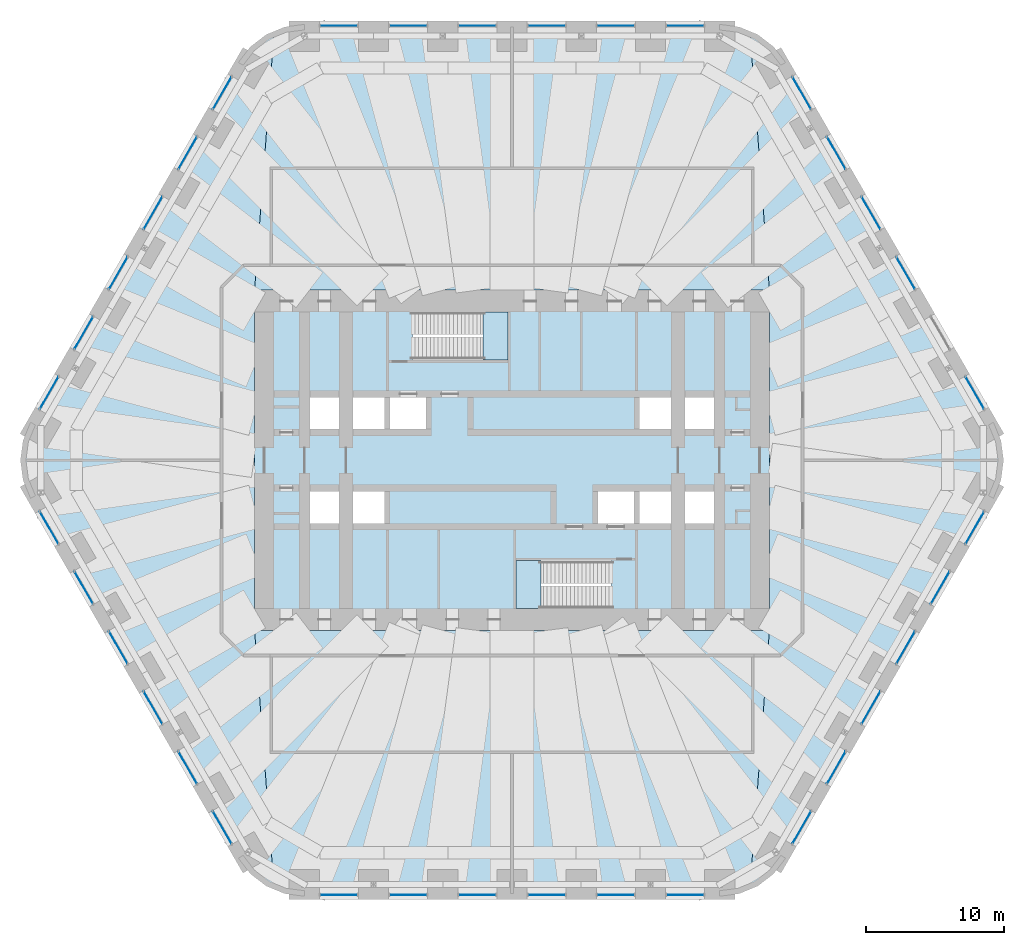
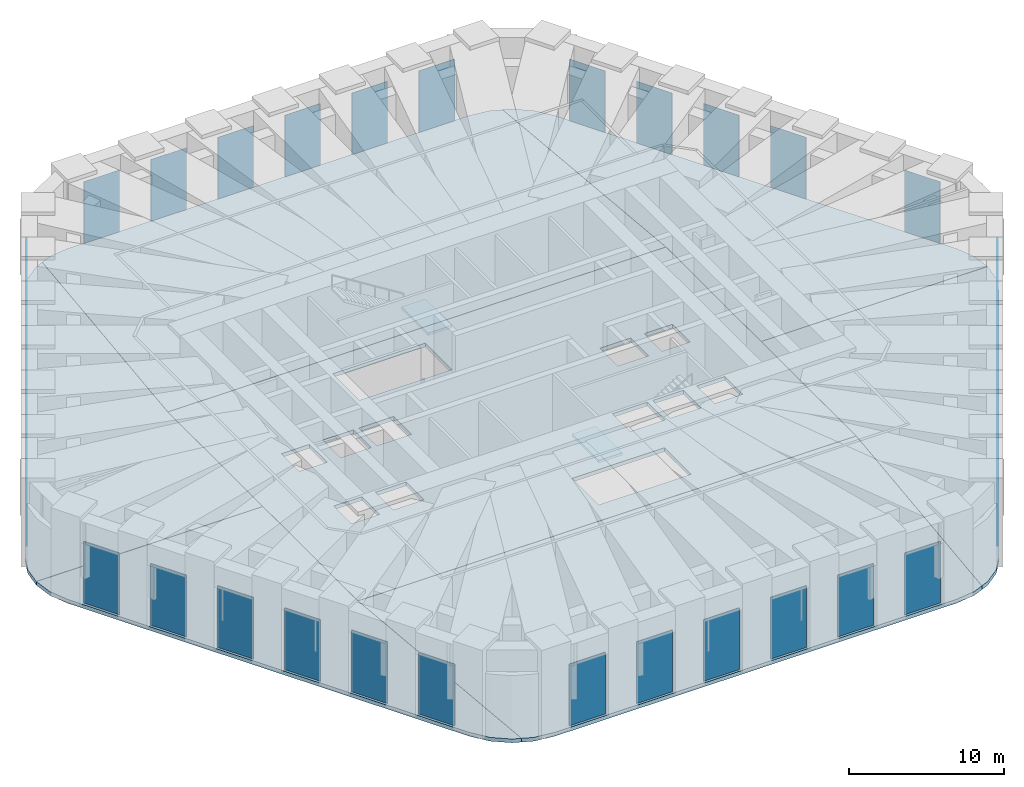
# One storey, part 11 of 16: 35 plates, 9 slabs, 37 elements without a shape of their own.
"""IFC4 building model written with IfcOpenShell, lengths in metres."""

from ifc_helpers import new_model, si_unit, direction, frame, origin, origin_2d, place, context, subcontext, project, spatial, polyline, rectangle, outline, extrude, material, layer, layer_set, type_object, element, aggregate, save


model = new_model("IFC4")

# Units and contexts
model_context = context("Model", 3, precision=1e-05, world=origin(), true_north=direction((0.0, 1.0)))
body_context = subcontext(model_context, "Body", "Model", "MODEL_VIEW")
ifc_project = project(units=[si_unit("LENGTHUNIT", "METRE"), si_unit("AREAUNIT", "SQUARE_METRE"), si_unit("VOLUMEUNIT", "CUBIC_METRE"), si_unit("PLANEANGLEUNIT", "RADIAN"), si_unit("MASSUNIT", "GRAM", prefix="KILO")], contexts=[model_context])

# Site, building, storey
site_placement = place(None, origin())
site = spatial("IfcSite", under=ifc_project, at=site_placement, CompositionType="ELEMENT")
building_placement = place(site_placement, origin())
building = spatial("IfcBuilding", under=site, at=building_placement, Name="Tarfa Lantern Tower", CompositionType="ELEMENT")
storey_placement = place(building_placement, frame((0.0, 0.0, 203.5)))
storey = spatial("IfcBuildingStorey", under=building, at=storey_placement, Name="L46", CompositionType="ELEMENT", Elevation=203.5)

# Curtain wall, plate
ifc_material_1 = material(Name="Aluminium framed curtain wall", Category="aluminium")
curtain_wall_type = type_object("IfcCurtainWallType", Name="CW6 LOUVRED SCREEN WALL 5000", PredefinedType="USERDEFINED", material=ifc_material_1)
curtain_wall_1_placement = place(storey_placement, origin())
curtain_wall_1 = element("IfcCurtainWall", 1, at=curtain_wall_1_placement, inside=storey, type_object=curtain_wall_type, Name="CW6 NE L46", ObjectType="CURTAIN WALL", PredefinedType="USERDEFINED")
ifc_material_2 = material(Name="Aluminium louvre blades", Category="aluminium")
ifc_layer_1 = layer(ifc_material_2, 0.028076171875)
ifc_layer_set_1 = layer_set([ifc_layer_1], Name="CWP2 LOUVRE PANEL")
plate_type = type_object("IfcPlateType", Name="CWP2 LOUVRE PANEL", PredefinedType="CURTAIN_PANEL", material=ifc_layer_set_1)
plate_1_placement = place(storey_placement, frame((33.44775390625, 4.86669921875, 0.06494140625), z_axis=(0.0, 0.0, 1.0), x_axis=(-0.5, 0.866025403784, 0.0)))
plate_1 = element("IfcPlate", 2, at=plate_1_placement, type_object=plate_type, Name="CW6 panel 1.1", PredefinedType="CURTAIN_PANEL", context=body_context, shape_type="SweptSolid", body=[
    extrude(rectangle(XDim=2.673583984375, YDim=0.028076171875, at=origin_2d()), origin(), (0.0, 0.0, 1.0), 4.8701171875),
])
aggregate(curtain_wall_1, [plate_1])

curtain_wall_2_placement = place(storey_placement, origin())
curtain_wall_2 = element("IfcCurtainWall", 3, at=curtain_wall_2_placement, inside=storey, type_object=curtain_wall_type, Name="CW6 NE L46", ObjectType="CURTAIN WALL", PredefinedType="USERDEFINED")
plate_2_placement = place(storey_placement, frame((28.444091796875, 13.533447265625, 0.06494140625), z_axis=(0.0, 0.0, 1.0), x_axis=(-0.5, 0.866025403784, 0.0)))
plate_2 = element("IfcPlate", 4, at=plate_2_placement, type_object=plate_type, Name="CW6 panel 1.1", PredefinedType="CURTAIN_PANEL", context=body_context, shape_type="SweptSolid", body=[
    extrude(rectangle(XDim=2.673583984375, YDim=0.028076171875, at=origin_2d()), origin(), (0.0, 0.0, 1.0), 4.8701171875),
])
aggregate(curtain_wall_2, [plate_2])

curtain_wall_3_placement = place(storey_placement, origin())
curtain_wall_3 = element("IfcCurtainWall", 5, at=curtain_wall_3_placement, inside=storey, type_object=curtain_wall_type, Name="CW6 NE L46", ObjectType="CURTAIN WALL", PredefinedType="USERDEFINED")
plate_3_placement = place(storey_placement, frame((25.9423828125, 17.86669921875, 0.06494140625), z_axis=(0.0, 0.0, 1.0), x_axis=(-0.5, 0.866025403784, 0.0)))
plate_3 = element("IfcPlate", 6, at=plate_3_placement, type_object=plate_type, Name="CW6 panel 1.1", PredefinedType="CURTAIN_PANEL", context=body_context, shape_type="SweptSolid", body=[
    extrude(rectangle(XDim=2.673583984375, YDim=0.028076171875, at=origin_2d()), origin(), (0.0, 0.0, 1.0), 4.8701171875),
])
aggregate(curtain_wall_3, [plate_3])

curtain_wall_4_placement = place(storey_placement, origin())
curtain_wall_4 = element("IfcCurtainWall", 7, at=curtain_wall_4_placement, inside=storey, type_object=curtain_wall_type, Name="CW6 NE L46", ObjectType="CURTAIN WALL", PredefinedType="USERDEFINED")
plate_4_placement = place(storey_placement, frame((23.4404296875, 22.199951171875, 0.06494140625), z_axis=(0.0, 0.0, 1.0), x_axis=(-0.5, 0.866025403784, 0.0)))
plate_4 = element("IfcPlate", 8, at=plate_4_placement, type_object=plate_type, Name="CW6 panel 1.1", PredefinedType="CURTAIN_PANEL", context=body_context, shape_type="SweptSolid", body=[
    extrude(rectangle(XDim=2.673583984375, YDim=0.028076171875, at=origin_2d()), origin(), (0.0, 0.0, 1.0), 4.8701171875),
])
aggregate(curtain_wall_4, [plate_4])

curtain_wall_5_placement = place(storey_placement, origin())
curtain_wall_5 = element("IfcCurtainWall", 9, at=curtain_wall_5_placement, inside=storey, type_object=curtain_wall_type, Name="CW6 NE L46", ObjectType="CURTAIN WALL", PredefinedType="USERDEFINED")
plate_5_placement = place(storey_placement, frame((20.9384765625, 26.533447265625, 0.06494140625), z_axis=(0.0, 0.0, 1.0), x_axis=(-0.5, 0.866025403784, 0.0)))
plate_5 = element("IfcPlate", 10, at=plate_5_placement, type_object=plate_type, Name="CW6 panel 1.1", PredefinedType="CURTAIN_PANEL", context=body_context, shape_type="SweptSolid", body=[
    extrude(rectangle(XDim=2.673583984375, YDim=0.028076171875, at=origin_2d()), origin(), (0.0, 0.0, 1.0), 4.8701171875),
])
aggregate(curtain_wall_5, [plate_5])

curtain_wall_6_placement = place(storey_placement, origin())
curtain_wall_6 = element("IfcCurtainWall", 11, at=curtain_wall_6_placement, inside=storey, type_object=curtain_wall_type, Name="CW6 N L46", ObjectType="CURTAIN WALL", PredefinedType="USERDEFINED")
plate_6_placement = place(storey_placement, frame((12.50927734375, 31.39990234375, 0.06494140625), z_axis=(0.0, 0.0, 1.0), x_axis=(-1.0, 0.0, 0.0)))
plate_6 = element("IfcPlate", 12, at=plate_6_placement, type_object=plate_type, Name="CW6 panel 1.1", PredefinedType="CURTAIN_PANEL", context=body_context, shape_type="SweptSolid", body=[
    extrude(rectangle(XDim=2.673583984375, YDim=0.028076171875, at=origin_2d()), origin(), (0.0, 0.0, 1.0), 4.8701171875),
])
aggregate(curtain_wall_6, [plate_6])

curtain_wall_7_placement = place(storey_placement, origin())
curtain_wall_7 = element("IfcCurtainWall", 13, at=curtain_wall_7_placement, inside=storey, type_object=curtain_wall_type, Name="CW6 N L46", ObjectType="CURTAIN WALL", PredefinedType="USERDEFINED")
plate_7_placement = place(storey_placement, frame((7.505615234375, 31.39990234375, 0.06494140625), z_axis=(0.0, 0.0, 1.0), x_axis=(-1.0, 0.0, 0.0)))
plate_7 = element("IfcPlate", 14, at=plate_7_placement, type_object=plate_type, Name="CW6 panel 1.1", PredefinedType="CURTAIN_PANEL", context=body_context, shape_type="SweptSolid", body=[
    extrude(rectangle(XDim=2.673583984375, YDim=0.028076171875, at=origin_2d()), origin(), (0.0, 0.0, 1.0), 4.8701171875),
])
aggregate(curtain_wall_7, [plate_7])

curtain_wall_8_placement = place(storey_placement, origin())
curtain_wall_8 = element("IfcCurtainWall", 15, at=curtain_wall_8_placement, inside=storey, type_object=curtain_wall_type, Name="CW6 N L46", ObjectType="CURTAIN WALL", PredefinedType="USERDEFINED")
plate_8_placement = place(storey_placement, frame((2.501953125, 31.39990234375, 0.06494140625), z_axis=(0.0, 0.0, 1.0), x_axis=(-1.0, 0.0, 0.0)))
plate_8 = element("IfcPlate", 16, at=plate_8_placement, type_object=plate_type, Name="CW6 panel 1.1", PredefinedType="CURTAIN_PANEL", context=body_context, shape_type="SweptSolid", body=[
    extrude(rectangle(XDim=2.673583984375, YDim=0.028076171875, at=origin_2d()), origin(), (0.0, 0.0, 1.0), 4.8701171875),
])
aggregate(curtain_wall_8, [plate_8])

curtain_wall_9_placement = place(storey_placement, origin())
curtain_wall_9 = element("IfcCurtainWall", 17, at=curtain_wall_9_placement, inside=storey, type_object=curtain_wall_type, Name="CW6 N L46", ObjectType="CURTAIN WALL", PredefinedType="USERDEFINED")
plate_9_placement = place(storey_placement, frame((-2.501953125, 31.39990234375, 0.06494140625), z_axis=(0.0, 0.0, 1.0), x_axis=(-1.0, 0.0, 0.0)))
plate_9 = element("IfcPlate", 18, at=plate_9_placement, type_object=plate_type, Name="CW6 panel 1.1", PredefinedType="CURTAIN_PANEL", context=body_context, shape_type="SweptSolid", body=[
    extrude(rectangle(XDim=2.673583984375, YDim=0.028076171875, at=origin_2d()), origin(), (0.0, 0.0, 1.0), 4.8701171875),
])
aggregate(curtain_wall_9, [plate_9])

curtain_wall_10_placement = place(storey_placement, origin())
curtain_wall_10 = element("IfcCurtainWall", 19, at=curtain_wall_10_placement, inside=storey, type_object=curtain_wall_type, Name="CW6 N L46", ObjectType="CURTAIN WALL", PredefinedType="USERDEFINED")
plate_10_placement = place(storey_placement, frame((-7.505615234375, 31.39990234375, 0.06494140625), z_axis=(0.0, 0.0, 1.0), x_axis=(-1.0, 0.0, 0.0)))
plate_10 = element("IfcPlate", 20, at=plate_10_placement, type_object=plate_type, Name="CW6 panel 1.1", PredefinedType="CURTAIN_PANEL", context=body_context, shape_type="SweptSolid", body=[
    extrude(rectangle(XDim=2.673583984375, YDim=0.028076171875, at=origin_2d()), origin(), (0.0, 0.0, 1.0), 4.8701171875),
])
aggregate(curtain_wall_10, [plate_10])

curtain_wall_11_placement = place(storey_placement, origin())
curtain_wall_11 = element("IfcCurtainWall", 21, at=curtain_wall_11_placement, inside=storey, type_object=curtain_wall_type, Name="CW6 N L46", ObjectType="CURTAIN WALL", PredefinedType="USERDEFINED")
plate_11_placement = place(storey_placement, frame((-12.50927734375, 31.39990234375, 0.06494140625), z_axis=(0.0, 0.0, 1.0), x_axis=(-1.0, 0.0, 0.0)))
plate_11 = element("IfcPlate", 22, at=plate_11_placement, type_object=plate_type, Name="CW6 panel 1.1", PredefinedType="CURTAIN_PANEL", context=body_context, shape_type="SweptSolid", body=[
    extrude(rectangle(XDim=2.673583984375, YDim=0.028076171875, at=origin_2d()), origin(), (0.0, 0.0, 1.0), 4.8701171875),
])
aggregate(curtain_wall_11, [plate_11])

curtain_wall_12_placement = place(storey_placement, origin())
curtain_wall_12 = element("IfcCurtainWall", 23, at=curtain_wall_12_placement, inside=storey, type_object=curtain_wall_type, Name="CW6 NW L46", ObjectType="CURTAIN WALL", PredefinedType="USERDEFINED")
plate_12_placement = place(storey_placement, frame((-20.9384765625, 26.533447265625, 0.06494140625), z_axis=(0.0, 0.0, 1.0), x_axis=(-0.5, -0.866025403784, 0.0)))
plate_12 = element("IfcPlate", 24, at=plate_12_placement, type_object=plate_type, Name="CW6 panel 1.1", PredefinedType="CURTAIN_PANEL", context=body_context, shape_type="SweptSolid", body=[
    extrude(rectangle(XDim=2.673583984375, YDim=0.028076171875, at=origin_2d()), origin(), (0.0, 0.0, 1.0), 4.8701171875),
])
aggregate(curtain_wall_12, [plate_12])

curtain_wall_13_placement = place(storey_placement, origin())
curtain_wall_13 = element("IfcCurtainWall", 25, at=curtain_wall_13_placement, inside=storey, type_object=curtain_wall_type, Name="CW6 NW L46", ObjectType="CURTAIN WALL", PredefinedType="USERDEFINED")
plate_13_placement = place(storey_placement, frame((-23.4404296875, 22.199951171875, 0.06494140625), z_axis=(0.0, 0.0, 1.0), x_axis=(-0.5, -0.866025403784, 0.0)))
plate_13 = element("IfcPlate", 26, at=plate_13_placement, type_object=plate_type, Name="CW6 panel 1.1", PredefinedType="CURTAIN_PANEL", context=body_context, shape_type="SweptSolid", body=[
    extrude(rectangle(XDim=2.673583984375, YDim=0.028076171875, at=origin_2d()), origin(), (0.0, 0.0, 1.0), 4.8701171875),
])
aggregate(curtain_wall_13, [plate_13])

curtain_wall_14_placement = place(storey_placement, origin())
curtain_wall_14 = element("IfcCurtainWall", 27, at=curtain_wall_14_placement, inside=storey, type_object=curtain_wall_type, Name="CW6 NW L46", ObjectType="CURTAIN WALL", PredefinedType="USERDEFINED")
plate_14_placement = place(storey_placement, frame((-25.9423828125, 17.86669921875, 0.06494140625), z_axis=(0.0, 0.0, 1.0), x_axis=(-0.5, -0.866025403784, 0.0)))
plate_14 = element("IfcPlate", 28, at=plate_14_placement, type_object=plate_type, Name="CW6 panel 1.1", PredefinedType="CURTAIN_PANEL", context=body_context, shape_type="SweptSolid", body=[
    extrude(rectangle(XDim=2.673583984375, YDim=0.028076171875, at=origin_2d()), origin(), (0.0, 0.0, 1.0), 4.8701171875),
])
aggregate(curtain_wall_14, [plate_14])

curtain_wall_15_placement = place(storey_placement, origin())
curtain_wall_15 = element("IfcCurtainWall", 29, at=curtain_wall_15_placement, inside=storey, type_object=curtain_wall_type, Name="CW6 NW L46", ObjectType="CURTAIN WALL", PredefinedType="USERDEFINED")
plate_15_placement = place(storey_placement, frame((-28.444091796875, 13.533447265625, 0.06494140625), z_axis=(0.0, 0.0, 1.0), x_axis=(-0.5, -0.866025403784, 0.0)))
plate_15 = element("IfcPlate", 30, at=plate_15_placement, type_object=plate_type, Name="CW6 panel 1.1", PredefinedType="CURTAIN_PANEL", context=body_context, shape_type="SweptSolid", body=[
    extrude(rectangle(XDim=2.673583984375, YDim=0.028076171875, at=origin_2d()), origin(), (0.0, 0.0, 1.0), 4.8701171875),
])
aggregate(curtain_wall_15, [plate_15])

curtain_wall_16_placement = place(storey_placement, origin())
curtain_wall_16 = element("IfcCurtainWall", 31, at=curtain_wall_16_placement, inside=storey, type_object=curtain_wall_type, Name="CW6 NW L46", ObjectType="CURTAIN WALL", PredefinedType="USERDEFINED")
plate_16_placement = place(storey_placement, frame((-30.946044921875, 9.199951171875, 0.06494140625), z_axis=(0.0, 0.0, 1.0), x_axis=(-0.5, -0.866025403784, 0.0)))
plate_16 = element("IfcPlate", 32, at=plate_16_placement, type_object=plate_type, Name="CW6 panel 1.1", PredefinedType="CURTAIN_PANEL", context=body_context, shape_type="SweptSolid", body=[
    extrude(rectangle(XDim=2.673583984375, YDim=0.028076171875, at=origin_2d()), origin(), (0.0, 0.0, 1.0), 4.8701171875),
])
aggregate(curtain_wall_16, [plate_16])

curtain_wall_17_placement = place(storey_placement, origin())
curtain_wall_17 = element("IfcCurtainWall", 33, at=curtain_wall_17_placement, inside=storey, type_object=curtain_wall_type, Name="CW6 NW L46", ObjectType="CURTAIN WALL", PredefinedType="USERDEFINED")
plate_17_placement = place(storey_placement, frame((-33.44775390625, 4.86669921875, 0.06494140625), z_axis=(0.0, 0.0, 1.0), x_axis=(-0.5, -0.866025403784, 0.0)))
plate_17 = element("IfcPlate", 34, at=plate_17_placement, type_object=plate_type, Name="CW6 panel 1.1", PredefinedType="CURTAIN_PANEL", context=body_context, shape_type="SweptSolid", body=[
    extrude(rectangle(XDim=2.673583984375, YDim=0.028076171875, at=origin_2d()), origin(), (0.0, 0.0, 1.0), 4.8701171875),
])
aggregate(curtain_wall_17, [plate_17])

curtain_wall_18_placement = place(storey_placement, origin())
curtain_wall_18 = element("IfcCurtainWall", 35, at=curtain_wall_18_placement, inside=storey, type_object=curtain_wall_type, Name="CW6 SW L46", ObjectType="CURTAIN WALL", PredefinedType="USERDEFINED")
plate_18_placement = place(storey_placement, frame((-33.44775390625, -4.86669921875, 0.06494140625), z_axis=(0.0, 0.0, 1.0), x_axis=(0.5, -0.866025403784, 0.0)))
plate_18 = element("IfcPlate", 36, at=plate_18_placement, type_object=plate_type, Name="CW6 panel 1.1", PredefinedType="CURTAIN_PANEL", context=body_context, shape_type="SweptSolid", body=[
    extrude(rectangle(XDim=2.673583984375, YDim=0.028076171875, at=origin_2d()), origin(), (0.0, 0.0, 1.0), 4.8701171875),
])
aggregate(curtain_wall_18, [plate_18])

curtain_wall_19_placement = place(storey_placement, origin())
curtain_wall_19 = element("IfcCurtainWall", 37, at=curtain_wall_19_placement, inside=storey, type_object=curtain_wall_type, Name="CW6 SW L46", ObjectType="CURTAIN WALL", PredefinedType="USERDEFINED")
plate_19_placement = place(storey_placement, frame((-30.946044921875, -9.199951171875, 0.06494140625), z_axis=(0.0, 0.0, 1.0), x_axis=(0.5, -0.866025403784, 0.0)))
plate_19 = element("IfcPlate", 38, at=plate_19_placement, type_object=plate_type, Name="CW6 panel 1.1", PredefinedType="CURTAIN_PANEL", context=body_context, shape_type="SweptSolid", body=[
    extrude(rectangle(XDim=2.673583984375, YDim=0.028076171875, at=origin_2d()), origin(), (0.0, 0.0, 1.0), 4.8701171875),
])
aggregate(curtain_wall_19, [plate_19])

curtain_wall_20_placement = place(storey_placement, origin())
curtain_wall_20 = element("IfcCurtainWall", 39, at=curtain_wall_20_placement, inside=storey, type_object=curtain_wall_type, Name="CW6 SW L46", ObjectType="CURTAIN WALL", PredefinedType="USERDEFINED")
plate_20_placement = place(storey_placement, frame((-28.444091796875, -13.533447265625, 0.06494140625), z_axis=(0.0, 0.0, 1.0), x_axis=(0.5, -0.866025403784, 0.0)))
plate_20 = element("IfcPlate", 40, at=plate_20_placement, type_object=plate_type, Name="CW6 panel 1.1", PredefinedType="CURTAIN_PANEL", context=body_context, shape_type="SweptSolid", body=[
    extrude(rectangle(XDim=2.673583984375, YDim=0.028076171875, at=origin_2d()), origin(), (0.0, 0.0, 1.0), 4.8701171875),
])
aggregate(curtain_wall_20, [plate_20])

curtain_wall_21_placement = place(storey_placement, origin())
curtain_wall_21 = element("IfcCurtainWall", 41, at=curtain_wall_21_placement, inside=storey, type_object=curtain_wall_type, Name="CW6 SW L46", ObjectType="CURTAIN WALL", PredefinedType="USERDEFINED")
plate_21_placement = place(storey_placement, frame((-25.9423828125, -17.86669921875, 0.06494140625), z_axis=(0.0, 0.0, 1.0), x_axis=(0.5, -0.866025403784, 0.0)))
plate_21 = element("IfcPlate", 42, at=plate_21_placement, type_object=plate_type, Name="CW6 panel 1.1", PredefinedType="CURTAIN_PANEL", context=body_context, shape_type="SweptSolid", body=[
    extrude(rectangle(XDim=2.673583984375, YDim=0.028076171875, at=origin_2d()), origin(), (0.0, 0.0, 1.0), 4.8701171875),
])
aggregate(curtain_wall_21, [plate_21])

curtain_wall_22_placement = place(storey_placement, origin())
curtain_wall_22 = element("IfcCurtainWall", 43, at=curtain_wall_22_placement, inside=storey, type_object=curtain_wall_type, Name="CW6 SW L46", ObjectType="CURTAIN WALL", PredefinedType="USERDEFINED")
plate_22_placement = place(storey_placement, frame((-23.4404296875, -22.199951171875, 0.06494140625), z_axis=(0.0, 0.0, 1.0), x_axis=(0.5, -0.866025403784, 0.0)))
plate_22 = element("IfcPlate", 44, at=plate_22_placement, type_object=plate_type, Name="CW6 panel 1.1", PredefinedType="CURTAIN_PANEL", context=body_context, shape_type="SweptSolid", body=[
    extrude(rectangle(XDim=2.673583984375, YDim=0.028076171875, at=origin_2d()), origin(), (0.0, 0.0, 1.0), 4.8701171875),
])
aggregate(curtain_wall_22, [plate_22])

curtain_wall_23_placement = place(storey_placement, origin())
curtain_wall_23 = element("IfcCurtainWall", 45, at=curtain_wall_23_placement, inside=storey, type_object=curtain_wall_type, Name="CW6 SW L46", ObjectType="CURTAIN WALL", PredefinedType="USERDEFINED")
plate_23_placement = place(storey_placement, frame((-20.9384765625, -26.533447265625, 0.06494140625), z_axis=(0.0, 0.0, 1.0), x_axis=(0.5, -0.866025403784, 0.0)))
plate_23 = element("IfcPlate", 46, at=plate_23_placement, type_object=plate_type, Name="CW6 panel 1.1", PredefinedType="CURTAIN_PANEL", context=body_context, shape_type="SweptSolid", body=[
    extrude(rectangle(XDim=2.673583984375, YDim=0.028076171875, at=origin_2d()), origin(), (0.0, 0.0, 1.0), 4.8701171875),
])
aggregate(curtain_wall_23, [plate_23])

curtain_wall_24_placement = place(storey_placement, origin())
curtain_wall_24 = element("IfcCurtainWall", 47, at=curtain_wall_24_placement, inside=storey, type_object=curtain_wall_type, Name="CW6 S L46", ObjectType="CURTAIN WALL", PredefinedType="USERDEFINED")
plate_24_placement = place(storey_placement, frame((-12.50927734375, -31.39990234375, 0.06494140625), z_axis=(0.0, 0.0, 1.0), x_axis=(1.0, 0.0, 0.0)))
plate_24 = element("IfcPlate", 48, at=plate_24_placement, type_object=plate_type, Name="CW6 panel 1.1", PredefinedType="CURTAIN_PANEL", context=body_context, shape_type="SweptSolid", body=[
    extrude(rectangle(XDim=2.673583984375, YDim=0.028076171875, at=origin_2d()), origin(), (0.0, 0.0, 1.0), 4.8701171875),
])
aggregate(curtain_wall_24, [plate_24])

curtain_wall_25_placement = place(storey_placement, origin())
curtain_wall_25 = element("IfcCurtainWall", 49, at=curtain_wall_25_placement, inside=storey, type_object=curtain_wall_type, Name="CW6 S L46", ObjectType="CURTAIN WALL", PredefinedType="USERDEFINED")
plate_25_placement = place(storey_placement, frame((-7.505615234375, -31.39990234375, 0.06494140625), z_axis=(0.0, 0.0, 1.0), x_axis=(1.0, 0.0, 0.0)))
plate_25 = element("IfcPlate", 50, at=plate_25_placement, type_object=plate_type, Name="CW6 panel 1.1", PredefinedType="CURTAIN_PANEL", context=body_context, shape_type="SweptSolid", body=[
    extrude(rectangle(XDim=2.673583984375, YDim=0.028076171875, at=origin_2d()), origin(), (0.0, 0.0, 1.0), 4.8701171875),
])
aggregate(curtain_wall_25, [plate_25])

curtain_wall_26_placement = place(storey_placement, origin())
curtain_wall_26 = element("IfcCurtainWall", 51, at=curtain_wall_26_placement, inside=storey, type_object=curtain_wall_type, Name="CW6 S L46", ObjectType="CURTAIN WALL", PredefinedType="USERDEFINED")
plate_26_placement = place(storey_placement, frame((-2.501953125, -31.39990234375, 0.06494140625), z_axis=(0.0, 0.0, 1.0), x_axis=(1.0, 0.0, 0.0)))
plate_26 = element("IfcPlate", 52, at=plate_26_placement, type_object=plate_type, Name="CW6 panel 1.1", PredefinedType="CURTAIN_PANEL", context=body_context, shape_type="SweptSolid", body=[
    extrude(rectangle(XDim=2.673583984375, YDim=0.028076171875, at=origin_2d()), origin(), (0.0, 0.0, 1.0), 4.8701171875),
])
aggregate(curtain_wall_26, [plate_26])

curtain_wall_27_placement = place(storey_placement, origin())
curtain_wall_27 = element("IfcCurtainWall", 53, at=curtain_wall_27_placement, inside=storey, type_object=curtain_wall_type, Name="CW6 S L46", ObjectType="CURTAIN WALL", PredefinedType="USERDEFINED")
plate_27_placement = place(storey_placement, frame((2.501953125, -31.39990234375, 0.06494140625), z_axis=(0.0, 0.0, 1.0), x_axis=(1.0, 0.0, 0.0)))
plate_27 = element("IfcPlate", 54, at=plate_27_placement, type_object=plate_type, Name="CW6 panel 1.1", PredefinedType="CURTAIN_PANEL", context=body_context, shape_type="SweptSolid", body=[
    extrude(rectangle(XDim=2.673583984375, YDim=0.028076171875, at=origin_2d()), origin(), (0.0, 0.0, 1.0), 4.8701171875),
])
aggregate(curtain_wall_27, [plate_27])

curtain_wall_28_placement = place(storey_placement, origin())
curtain_wall_28 = element("IfcCurtainWall", 55, at=curtain_wall_28_placement, inside=storey, type_object=curtain_wall_type, Name="CW6 S L46", ObjectType="CURTAIN WALL", PredefinedType="USERDEFINED")
plate_28_placement = place(storey_placement, frame((7.505615234375, -31.39990234375, 0.06494140625), z_axis=(0.0, 0.0, 1.0), x_axis=(1.0, 0.0, 0.0)))
plate_28 = element("IfcPlate", 56, at=plate_28_placement, type_object=plate_type, Name="CW6 panel 1.1", PredefinedType="CURTAIN_PANEL", context=body_context, shape_type="SweptSolid", body=[
    extrude(rectangle(XDim=2.673583984375, YDim=0.028076171875, at=origin_2d()), origin(), (0.0, 0.0, 1.0), 4.8701171875),
])
aggregate(curtain_wall_28, [plate_28])

curtain_wall_29_placement = place(storey_placement, origin())
curtain_wall_29 = element("IfcCurtainWall", 57, at=curtain_wall_29_placement, inside=storey, type_object=curtain_wall_type, Name="CW6 S L46", ObjectType="CURTAIN WALL", PredefinedType="USERDEFINED")
plate_29_placement = place(storey_placement, frame((12.50927734375, -31.39990234375, 0.06494140625), z_axis=(0.0, 0.0, 1.0), x_axis=(1.0, 0.0, 0.0)))
plate_29 = element("IfcPlate", 58, at=plate_29_placement, type_object=plate_type, Name="CW6 panel 1.1", PredefinedType="CURTAIN_PANEL", context=body_context, shape_type="SweptSolid", body=[
    extrude(rectangle(XDim=2.673583984375, YDim=0.028076171875, at=origin_2d()), origin(), (0.0, 0.0, 1.0), 4.8701171875),
])
aggregate(curtain_wall_29, [plate_29])

curtain_wall_30_placement = place(storey_placement, origin())
curtain_wall_30 = element("IfcCurtainWall", 59, at=curtain_wall_30_placement, inside=storey, type_object=curtain_wall_type, Name="CW6 SE L46", ObjectType="CURTAIN WALL", PredefinedType="USERDEFINED")
plate_30_placement = place(storey_placement, frame((20.9384765625, -26.533447265625, 0.06494140625), z_axis=(0.0, 0.0, 1.0), x_axis=(0.5, 0.866025403784, 0.0)))
plate_30 = element("IfcPlate", 60, at=plate_30_placement, type_object=plate_type, Name="CW6 panel 1.1", PredefinedType="CURTAIN_PANEL", context=body_context, shape_type="SweptSolid", body=[
    extrude(rectangle(XDim=2.673583984375, YDim=0.028076171875, at=origin_2d()), origin(), (0.0, 0.0, 1.0), 4.8701171875),
])
aggregate(curtain_wall_30, [plate_30])

curtain_wall_31_placement = place(storey_placement, origin())
curtain_wall_31 = element("IfcCurtainWall", 61, at=curtain_wall_31_placement, inside=storey, type_object=curtain_wall_type, Name="CW6 SE L46", ObjectType="CURTAIN WALL", PredefinedType="USERDEFINED")
plate_31_placement = place(storey_placement, frame((23.4404296875, -22.199951171875, 0.06494140625), z_axis=(0.0, 0.0, 1.0), x_axis=(0.5, 0.866025403784, 0.0)))
plate_31 = element("IfcPlate", 62, at=plate_31_placement, type_object=plate_type, Name="CW6 panel 1.1", PredefinedType="CURTAIN_PANEL", context=body_context, shape_type="SweptSolid", body=[
    extrude(rectangle(XDim=2.673583984375, YDim=0.028076171875, at=origin_2d()), origin(), (0.0, 0.0, 1.0), 4.8701171875),
])
aggregate(curtain_wall_31, [plate_31])

curtain_wall_32_placement = place(storey_placement, origin())
curtain_wall_32 = element("IfcCurtainWall", 63, at=curtain_wall_32_placement, inside=storey, type_object=curtain_wall_type, Name="CW6 SE L46", ObjectType="CURTAIN WALL", PredefinedType="USERDEFINED")
plate_32_placement = place(storey_placement, frame((25.9423828125, -17.86669921875, 0.06494140625), z_axis=(0.0, 0.0, 1.0), x_axis=(0.5, 0.866025403784, 0.0)))
plate_32 = element("IfcPlate", 64, at=plate_32_placement, type_object=plate_type, Name="CW6 panel 1.1", PredefinedType="CURTAIN_PANEL", context=body_context, shape_type="SweptSolid", body=[
    extrude(rectangle(XDim=2.673583984375, YDim=0.028076171875, at=origin_2d()), origin(), (0.0, 0.0, 1.0), 4.8701171875),
])
aggregate(curtain_wall_32, [plate_32])

curtain_wall_33_placement = place(storey_placement, origin())
curtain_wall_33 = element("IfcCurtainWall", 65, at=curtain_wall_33_placement, inside=storey, type_object=curtain_wall_type, Name="CW6 SE L46", ObjectType="CURTAIN WALL", PredefinedType="USERDEFINED")
plate_33_placement = place(storey_placement, frame((28.444091796875, -13.533447265625, 0.06494140625), z_axis=(0.0, 0.0, 1.0), x_axis=(0.5, 0.866025403784, 0.0)))
plate_33 = element("IfcPlate", 66, at=plate_33_placement, type_object=plate_type, Name="CW6 panel 1.1", PredefinedType="CURTAIN_PANEL", context=body_context, shape_type="SweptSolid", body=[
    extrude(rectangle(XDim=2.673583984375, YDim=0.028076171875, at=origin_2d()), origin(), (0.0, 0.0, 1.0), 4.8701171875),
])
aggregate(curtain_wall_33, [plate_33])

curtain_wall_34_placement = place(storey_placement, origin())
curtain_wall_34 = element("IfcCurtainWall", 67, at=curtain_wall_34_placement, inside=storey, type_object=curtain_wall_type, Name="CW6 SE L46", ObjectType="CURTAIN WALL", PredefinedType="USERDEFINED")
plate_34_placement = place(storey_placement, frame((30.946044921875, -9.199951171875, 0.06494140625), z_axis=(0.0, 0.0, 1.0), x_axis=(0.5, 0.866025403784, 0.0)))
plate_34 = element("IfcPlate", 68, at=plate_34_placement, type_object=plate_type, Name="CW6 panel 1.1", PredefinedType="CURTAIN_PANEL", context=body_context, shape_type="SweptSolid", body=[
    extrude(rectangle(XDim=2.673583984375, YDim=0.028076171875, at=origin_2d()), origin(), (0.0, 0.0, 1.0), 4.8701171875),
])
aggregate(curtain_wall_34, [plate_34])

curtain_wall_35_placement = place(storey_placement, origin())
curtain_wall_35 = element("IfcCurtainWall", 69, at=curtain_wall_35_placement, inside=storey, type_object=curtain_wall_type, Name="CW6 SE L46", ObjectType="CURTAIN WALL", PredefinedType="USERDEFINED")
plate_35_placement = place(storey_placement, frame((33.44775390625, -4.86669921875, 0.06494140625), z_axis=(0.0, 0.0, 1.0), x_axis=(0.5, 0.866025403784, 0.0)))
plate_35 = element("IfcPlate", 70, at=plate_35_placement, type_object=plate_type, Name="CW6 panel 1.1", PredefinedType="CURTAIN_PANEL", context=body_context, shape_type="SweptSolid", body=[
    extrude(rectangle(XDim=2.673583984375, YDim=0.028076171875, at=origin_2d()), origin(), (0.0, 0.0, 1.0), 4.8701171875),
])
aggregate(curtain_wall_35, [plate_35])

# Slabs
ifc_material_3 = material(Name="Concrete C40/50", Category="concrete")
ifc_layer_2 = layer(ifc_material_3, 0.300048828125)
ifc_layer_set_2 = layer_set([ifc_layer_2], Name="FS2 FLOOR SLAB 300")
slab_type_1 = type_object("IfcSlabType", Name="FS2 FLOOR SLAB 300", PredefinedType="FLOOR", material=ifc_layer_set_2)
slab_1_placement = place(storey_placement, frame((0.0, 0.0, -0.300048828125)))
element("IfcSlab", 71, at=slab_1_placement, inside=storey, type_object=slab_type_1, Name="Floor slab L46", PredefinedType="FLOOR", context=body_context, shape_type="SweptSolid", body=[
    extrude(outline(polyline([(-18.60009765625, -12.300048828125), (18.60009765625, -12.300048828125), (18.60009765625, 12.300048828125), (-18.60009765625, 12.300048828125), (-18.60009765625, -12.300048828125)]), holes=[polyline([(-14.60009765625, 2.25), (-12.5, 2.25), (-12.5, 4.550048828125), (-14.60009765625, 4.550048828125), (-14.60009765625, 2.25)]), polyline([(-11.5, 2.25), (-9.199951171875, 2.25), (-9.199951171875, 4.550048828125), (-11.5, 4.550048828125), (-11.5, 2.25)]), polyline([(-8.800048828125, 2.25), (-6.199951171875, 2.25), (-6.199951171875, 4.550048828125), (-8.800048828125, 4.550048828125), (-8.800048828125, 2.25)]), polyline([(9.199951171875, 2.25), (11.5, 2.25), (11.5, 4.550048828125), (9.199951171875, 4.550048828125), (9.199951171875, 2.25)]), polyline([(12.5, 2.25), (14.60009765625, 2.25), (14.60009765625, 4.550048828125), (12.5, 4.550048828125), (12.5, 2.25)]), polyline([(14.60009765625, -2.25), (12.5, -2.25), (12.5, -4.550048828125), (14.60009765625, -4.550048828125), (14.60009765625, -2.25)]), polyline([(11.5, -2.25), (9.199951171875, -2.25), (9.199951171875, -4.550048828125), (11.5, -4.550048828125), (11.5, -2.25)]), polyline([(8.800048828125, -2.25), (6.199951171875, -2.25), (6.199951171875, -4.550048828125), (8.800048828125, -4.550048828125), (8.800048828125, -2.25)]), polyline([(-9.199951171875, -2.25), (-11.5, -2.25), (-11.5, -4.550048828125), (-9.199951171875, -4.550048828125), (-9.199951171875, -2.25)]), polyline([(-12.5, -2.25), (-14.60009765625, -2.25), (-14.60009765625, -4.550048828125), (-12.5, -4.550048828125), (-12.5, -2.25)]), polyline([(-7.199951171875, 7.25), (-0.300048828125, 7.25), (-0.300048828125, 10.699951171875), (-7.199951171875, 10.699951171875), (-7.199951171875, 7.25)]), polyline([(7.199951171875, -7.25), (0.300048828125, -7.25), (0.300048828125, -10.699951171875), (7.199951171875, -10.699951171875), (7.199951171875, -7.25)])]), origin(), (0.0, 0.0, 1.0), 0.300048828125),
])
slab_2_placement = place(storey_placement, frame((0.0, 0.0, -0.300048828125)))
element("IfcSlab", 72, at=slab_2_placement, inside=storey, type_object=slab_type_1, Name="Floor slab L46 NE bay", PredefinedType="FLOOR", context=body_context, shape_type="SweptSolid", body=[
    extrude(outline(polyline([(34.783447265625, 2.7490234375), (19.7724609375, 28.748779296875), (18.898681640625, 29.8876953125), (17.760009765625, 30.761474609375), (17.19189453125, 30.996826171875), (18.60205078125, 12.300048828125), (18.60205078125, 0.001953125), (35.52001953125, 0.001953125), (35.332763671875, 1.423095703125), (34.783447265625, 2.7490234375)])), origin(), (0.0, 0.0, 1.0), 0.300048828125),
])
slab_3_placement = place(storey_placement, frame((0.0, 0.0, -0.300048828125)))
element("IfcSlab", 73, at=slab_3_placement, inside=storey, type_object=slab_type_1, Name="Floor slab L46 N bay", PredefinedType="FLOOR", context=body_context, shape_type="SweptSolid", body=[
    extrude(outline(polyline([(-18.597900390625, 12.302001953125), (18.597900390625, 12.302001953125), (17.187744140625, 30.99853515625), (16.43408203125, 31.310546875), (15.010986328125, 31.498046875), (-15.010986328125, 31.498046875), (-16.43408203125, 31.310546875), (-17.187744140625, 30.99853515625), (-18.597900390625, 12.302001953125)])), origin(), (0.0, 0.0, 1.0), 0.300048828125),
])
slab_4_placement = place(storey_placement, frame((0.0, 0.0, -0.300048828125)))
element("IfcSlab", 74, at=slab_4_placement, inside=storey, type_object=slab_type_1, Name="Floor slab L46 NW bay", PredefinedType="FLOOR", context=body_context, shape_type="SweptSolid", body=[
    extrude(outline(polyline([(-18.60205078125, 0.001953125), (-18.60205078125, 12.300048828125), (-17.19189453125, 30.996826171875), (-17.760009765625, 30.761474609375), (-18.898681640625, 29.8876953125), (-19.7724609375, 28.748779296875), (-34.783447265625, 2.7490234375), (-35.332763671875, 1.423095703125), (-35.52001953125, 0.001953125), (-18.60205078125, 0.001953125)])), origin(), (0.0, 0.0, 1.0), 0.300048828125),
])
slab_5_placement = place(storey_placement, frame((0.0, 0.0, -0.300048828125)))
element("IfcSlab", 75, at=slab_5_placement, inside=storey, type_object=slab_type_1, Name="Floor slab L46 SW bay", PredefinedType="FLOOR", context=body_context, shape_type="SweptSolid", body=[
    extrude(outline(polyline([(-18.60205078125, -12.300048828125), (-18.60205078125, -0.001953125), (-35.52001953125, -0.001953125), (-35.332763671875, -1.423095703125), (-34.783447265625, -2.7490234375), (-19.7724609375, -28.748779296875), (-18.898681640625, -29.8876953125), (-17.760009765625, -30.761474609375), (-17.19189453125, -30.996826171875), (-18.60205078125, -12.300048828125)])), origin(), (0.0, 0.0, 1.0), 0.300048828125),
])
slab_6_placement = place(storey_placement, frame((0.0, 0.0, -0.300048828125)))
element("IfcSlab", 76, at=slab_6_placement, inside=storey, type_object=slab_type_1, Name="Floor slab L46 S bay", PredefinedType="FLOOR", context=body_context, shape_type="SweptSolid", body=[
    extrude(outline(polyline([(18.597900390625, -12.302001953125), (-18.597900390625, -12.302001953125), (-17.187744140625, -30.99853515625), (-16.43408203125, -31.310546875), (-15.010986328125, -31.498046875), (15.010986328125, -31.498046875), (16.43408203125, -31.310546875), (17.187744140625, -30.99853515625), (18.597900390625, -12.302001953125)])), origin(), (0.0, 0.0, 1.0), 0.300048828125),
])
slab_7_placement = place(storey_placement, frame((0.0, 0.0, -0.300048828125)))
element("IfcSlab", 77, at=slab_7_placement, inside=storey, type_object=slab_type_1, Name="Floor slab L46 SE bay", PredefinedType="FLOOR", context=body_context, shape_type="SweptSolid", body=[
    extrude(outline(polyline([(18.60205078125, -0.001953125), (18.60205078125, -12.300048828125), (17.19189453125, -30.996826171875), (17.760009765625, -30.761474609375), (18.898681640625, -29.8876953125), (19.7724609375, -28.748779296875), (34.783447265625, -2.7490234375), (35.332763671875, -1.423095703125), (35.52001953125, -0.001953125), (18.60205078125, -0.001953125)])), origin(), (0.0, 0.0, 1.0), 0.300048828125),
])

# Stair, slab
stair_type = type_object("IfcStairType", Name="ST-T3 HALF-TURN STAIR 7000 RISE", PredefinedType="HALF_TURN_STAIR", material=ifc_material_3)
stair_1_placement = place(storey_placement, origin())
stair_1 = element("IfcStair", 78, at=stair_1_placement, inside=storey, type_object=stair_type, Name="Stair ST1", PredefinedType="HALF_TURN_STAIR")
ifc_layer_3 = layer(ifc_material_3, 0.199951171875)
ifc_layer_set_3 = layer_set([ifc_layer_3], Name="SL1 STAIR LANDING 200")
slab_type_2 = type_object("IfcSlabType", Name="SL1 STAIR LANDING 200", PredefinedType="LANDING", material=ifc_layer_set_3)
slab_8_placement = place(storey_placement, frame((0.0, 0.0, 3.300048828125)))
slab_8 = element("IfcSlab", 79, at=slab_8_placement, type_object=slab_type_2, Name="ST1 landing 1", PredefinedType="LANDING", context=body_context, shape_type="SweptSolid", body=[
    extrude(outline(polyline([(-2.080078125, 7.25), (-0.300048828125, 7.25), (-0.300048828125, 10.699951171875), (-2.080078125, 10.699951171875), (-2.080078125, 7.25)])), origin(), (0.0, 0.0, 1.0), 0.199951171875),
])
aggregate(stair_1, [slab_8])

stair_2_placement = place(storey_placement, origin())
stair_2 = element("IfcStair", 80, at=stair_2_placement, inside=storey, type_object=stair_type, Name="Stair ST2", PredefinedType="HALF_TURN_STAIR")
slab_9_placement = place(storey_placement, frame((0.0, 0.0, 3.300048828125)))
slab_9 = element("IfcSlab", 81, at=slab_9_placement, type_object=slab_type_2, Name="ST2 landing 1", PredefinedType="LANDING", context=body_context, shape_type="SweptSolid", body=[
    extrude(outline(polyline([(2.080078125, -7.25), (0.300048828125, -7.25), (0.300048828125, -10.699951171875), (2.080078125, -10.699951171875), (2.080078125, -7.25)])), origin(), (0.0, 0.0, 1.0), 0.199951171875),
])
aggregate(stair_2, [slab_9])

save(model, "model.ifc")
